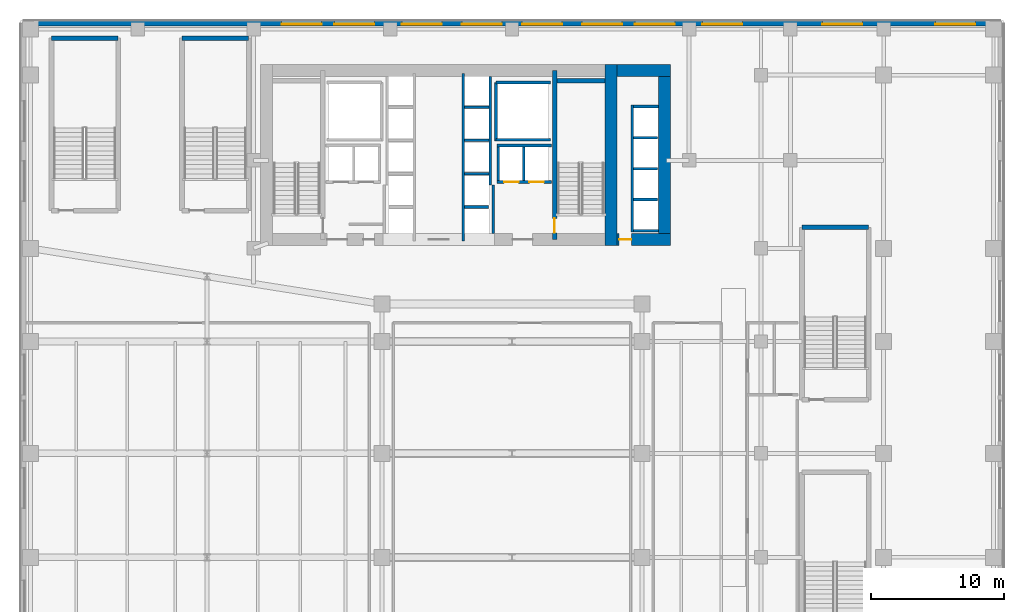
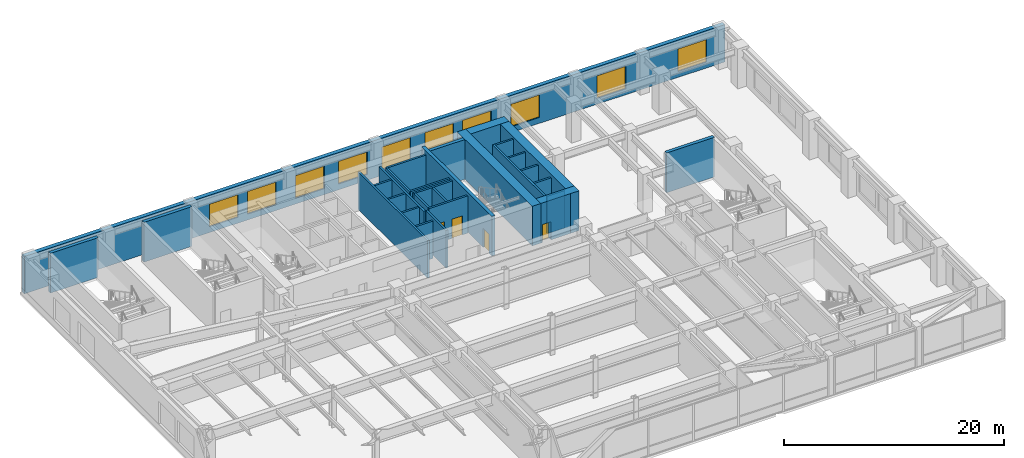
# One storey, part 20 of 27: 30 walls, 10 windows, 4 doors, 14 openings.
"""IFC4 building model written with IfcOpenShell, lengths in metres."""

from ifc_helpers import new_model, si_unit, direction, frame, frame_2d, origin, place, context, subcontext, project, spatial, rectangle, extrude, source, transform, mapped, material, layer, layer_set, type_object, type_shapes, element, fill, save


model = new_model("IFC4")

# Units and contexts
model_context = context("Model", 3, precision=1e-05, world=origin(), true_north=direction((0.0, 1.0)))
body_context = subcontext(model_context, "Body", "Model", "MODEL_VIEW")
ifc_project = project(units=[si_unit("LENGTHUNIT", "METRE"), si_unit("AREAUNIT", "SQUARE_METRE"), si_unit("VOLUMEUNIT", "CUBIC_METRE"), si_unit("PLANEANGLEUNIT", "RADIAN"), si_unit("MASSUNIT", "GRAM", prefix="KILO")], contexts=[model_context])

# Site, building, storey
site_placement = place(None, origin())
site = spatial("IfcSite", under=ifc_project, at=site_placement, CompositionType="ELEMENT")
building_placement = place(site_placement, origin())
building = spatial("IfcBuilding", under=site, at=building_placement, Name="Tolvann Quenvar Hotel", CompositionType="ELEMENT")
storey_placement = place(building_placement, frame((0.0, 0.0, 22.39990234375)))
storey = spatial("IfcBuildingStorey", under=building, at=storey_placement, Name="L04", CompositionType="ELEMENT", Elevation=22.39990234375)

# Wall
ifc_material_1 = material(Name="Concrete S80 (80 MPa)", Category="concrete")
ifc_layer_1 = layer(ifc_material_1, 0.89990234375)
ifc_layer_set_1 = layer_set([ifc_layer_1], Name="Concrete S80 (80 MPa)")
wall_type_1 = type_object("IfcWallType", Name="WALL_CORE_900", PredefinedType="SHEAR", material=ifc_layer_set_1)
wall_1_placement = place(storey_placement, frame((35.949951171875, 31.60009765625, 0.0), z_axis=(0.0, 0.0, 1.0), x_axis=(0.0, 1.0, 0.0)))
element("IfcWall", 1, at=wall_1_placement, inside=storey, type_object=wall_type_1, Name="Rear Core E Shear Wall (L04)", PredefinedType="SHEAR", context=body_context, shape_type="SweptSolid", body=[
    extrude(rectangle(XDim=13.599853515625, YDim=0.89990234375, at=frame_2d((6.7998046875, 0.0))), origin(), (0.0, 0.0, 1.0), 4.400146484375),
])

# Wall, opening, door
wall_2_placement = place(storey_placement, frame((36.39990234375, 32.050048828125, 0.0), z_axis=(0.0, 0.0, 1.0), x_axis=(1.0, 0.0, 0.0)))
wall_2 = element("IfcWall", 2, at=wall_2_placement, inside=storey, type_object=wall_type_1, Name="Core East Annex Shear Wall ANN-S (L04)", PredefinedType="SHEAR", context=body_context, shape_type="SweptSolid", body=[
    extrude(rectangle(XDim=4.0, YDim=0.89990234375, at=frame_2d((2.0, 0.0))), origin(), (0.0, 0.0, 1.0), 4.400146484375),
])
opening_1_placement = place(wall_2_placement, frame((1.06982421875, 0.0, 0.0), z_axis=(0.0, 0.0, 1.0), x_axis=(-1.0, 0.0, 0.0)))
opening_1 = element("IfcOpeningElement", 3, at=opening_1_placement, cuts=wall_2, Name="Opening WD-01", PredefinedType="OPENING", context=body_context, shape_type="SweptSolid", body=[
    extrude(rectangle(XDim=0.919921875, YDim=2.010009765625, at=frame_2d((0.4599609375, 1.0048828125))), frame((0.0, 0.4599609375, 0.0), z_axis=(0.0, -1.0, 0.0), x_axis=(1.0, 0.0, 0.0)), (0.0, 0.0, 1.0), 0.919921875),
])
ifc_material_2 = material(Name="Solid-core American oak acoustic fire door leaf in steel frame", Category="steel")
door_type_1 = type_object("IfcDoorType", Name="DOOR_WC_920", OperationType="NOTDEFINED", PredefinedType="DOOR", material=ifc_material_2)
shared_shape_1 = source(origin(), body_context, "Body", "SweptSolid", [
    extrude(rectangle(XDim=0.919921875, YDim=2.010009765625, at=frame_2d((0.4599609375, 1.0048828125))), frame((0.0, 0.02490234375, 0.0), z_axis=(0.0, -1.0, 0.0), x_axis=(1.0, 0.0, 0.0)), (0.0, 0.0, 1.0), 0.050048828125),
])
type_shapes(door_type_1, [shared_shape_1])
door_1_placement = place(opening_1_placement, origin())
door_1 = element("IfcDoor", 4, at=door_1_placement, inside=storey, type_object=door_type_1, Name="Low-Rise Lift Lobby Fire Door (L04)", OperationType="SINGLE_SWING_RIGHT", OverallHeight=2.010009765625, OverallWidth=0.919921875, PredefinedType="DOOR", context=body_context, shape_type="MappedRepresentation", body=[
    mapped(shared_shape_1, transform((0.0, 0.0, 0.0), x_axis=(1.0, 0.0, 0.0), y_axis=(0.0, 1.0, 0.0), z_axis=(0.0, 0.0, 1.0), scale=1.0)),
])
fill(opening_1, door_1)

# Walls
wall_3_placement = place(storey_placement, frame((36.39990234375, 44.75, 0.0), z_axis=(0.0, 0.0, 1.0), x_axis=(1.0, 0.0, 0.0)))
element("IfcWall", 5, at=wall_3_placement, inside=storey, type_object=wall_type_1, Name="Core East Annex Shear Wall ANN-N (L04)", PredefinedType="SHEAR", context=body_context, shape_type="SweptSolid", body=[
    extrude(rectangle(XDim=4.0, YDim=0.89990234375, at=frame_2d((2.0, 0.0))), origin(), (0.0, 0.0, 1.0), 4.400146484375),
])
wall_4_placement = place(storey_placement, frame((39.949951171875, 31.60009765625, 0.0), z_axis=(0.0, 0.0, 1.0), x_axis=(0.0, 1.0, 0.0)))
element("IfcWall", 6, at=wall_4_placement, inside=storey, type_object=wall_type_1, Name="Core East Annex Shear Wall ANN-E (L04)", PredefinedType="SHEAR", context=body_context, shape_type="SweptSolid", body=[
    extrude(rectangle(XDim=13.599853515625, YDim=0.89990234375, at=frame_2d((6.7998046875, 0.0))), origin(), (0.0, 0.0, 1.0), 4.400146484375),
])

# Wall, opening, door
ifc_material_3 = material(Name="Concrete S65 (65 MPa)", Category="concrete")
ifc_layer_2 = layer(ifc_material_3, 0.35009765625)
ifc_layer_set_2 = layer_set([ifc_layer_2], Name="Concrete S65 (65 MPa)")
wall_type_2 = type_object("IfcWallType", Name="WALL_CORE_INT_350", PredefinedType="SHEAR", material=ifc_layer_set_2)
wall_5_placement = place(storey_placement, frame((31.699951171875, 32.050048828125, 0.0), z_axis=(0.0, 0.0, 1.0), x_axis=(0.0, 1.0, 0.0)))
wall_5 = element("IfcWall", 7, at=wall_5_placement, inside=storey, type_object=wall_type_2, Name="Core Internal Web Shear Wall WEB-E (L04)", PredefinedType="SHEAR", context=body_context, shape_type="SweptSolid", body=[
    extrude(rectangle(XDim=12.699951171875, YDim=0.35009765625, at=frame_2d((6.35009765625, 0.0))), origin(), (0.0, 0.0, 1.0), 4.400146484375),
])
opening_2_placement = place(wall_5_placement, frame((1.60009765625, 0.0, 0.0), z_axis=(0.0, 0.0, 1.0), x_axis=(-1.0, 0.0, 0.0)))
opening_2 = element("IfcOpeningElement", 8, at=opening_2_placement, cuts=wall_5, Name="Opening FD-120", PredefinedType="OPENING", context=body_context, shape_type="SweptSolid", body=[
    extrude(rectangle(XDim=1.10009765625, YDim=2.1201171875, at=frame_2d((0.550048828125, 1.06005859375))), frame((0.0, 0.18505859375, 0.0), z_axis=(0.0, -1.0, 0.0), x_axis=(1.0, 0.0, 0.0)), (0.0, 0.0, 1.0), 0.3701171875),
])
ifc_material_4 = material(Name="Pressed galvanised steel fire-rated door set", Category="steel")
door_type_2 = type_object("IfcDoorType", Name="DOOR_FIRE_STAIR_1100", OperationType="NOTDEFINED", PredefinedType="DOOR", material=ifc_material_4)
shared_shape_2 = source(origin(), body_context, "Body", "SweptSolid", [
    extrude(rectangle(XDim=1.10009765625, YDim=2.1201171875, at=frame_2d((0.550048828125, 1.06005859375))), frame((0.0, 0.02490234375, 0.0), z_axis=(0.0, -1.0, 0.0), x_axis=(1.0, 0.0, 0.0)), (0.0, 0.0, 1.0), 0.050048828125),
])
type_shapes(door_type_2, [shared_shape_2])
door_2_placement = place(opening_2_placement, origin())
door_2 = element("IfcDoor", 9, at=door_2_placement, inside=storey, type_object=door_type_2, Name="Exit Stair ST-C2 Fire Door (L04)", OperationType="SINGLE_SWING_LEFT", OverallHeight=2.1201171875, OverallWidth=1.10009765625, PredefinedType="DOOR", context=body_context, shape_type="MappedRepresentation", body=[
    mapped(shared_shape_2, transform((0.0, 0.0, 0.0), x_axis=(1.0, 0.0, 0.0), y_axis=(0.0, 1.0, 0.0), z_axis=(0.0, 0.0, 1.0), scale=1.0)),
])
fill(opening_2, door_2)

# Walls
wall_6_placement = place(storey_placement, frame((31.8798828125, 43.97509765625, 0.0), z_axis=(0.0, 0.0, 1.0), x_axis=(1.0, 0.0, 0.0)))
element("IfcWall", 10, at=wall_6_placement, inside=storey, type_object=wall_type_2, Name="Core Stair North Closing Shear Wall STC2-N (L04)", PredefinedType="SHEAR", context=body_context, shape_type="SweptSolid", body=[
    extrude(rectangle(XDim=3.60009765625, YDim=0.35009765625, at=frame_2d((1.800048828125, 0.0))), origin(), (0.0, 0.0, 1.0), 4.400146484375),
])
for number, where, z_axis, x_axis, name in (
    (11, (-1.074951171875, 47.175048828125, 0.0), (0.0, 0.0, 1.0), (-1.0, 0.0, 0.0), "Stairwell ST-P1 Structural Shaft Wall N (L04)"),
    (12, (8.72509765625, 47.175048828125, 0.0), (0.0, 0.0, 1.0), (-1.0, 0.0, 0.0), "Stairwell ST-P2 Structural Shaft Wall N (L04)"),
    (13, (55.27490234375, 32.97509765625, 0.0), (0.0, 0.0, 1.0), (-1.0, 0.0, 0.0), "Stairwell ST-P4 Structural Shaft Wall N (L04)"),
):
    element("IfcWall", number, at=place(storey_placement, frame(where, z_axis=z_axis, x_axis=x_axis)), inside=storey, type_object=wall_type_2, Name=name, PredefinedType="SHEAR", context=body_context, shape_type="SweptSolid", body=[
        extrude(rectangle(XDim=5.0, YDim=0.35009765625, at=frame_2d((2.5, 0.0))), origin(), (0.0, 0.0, 1.0), 4.400146484375),
    ])

# Wall, openings, windows
ifc_material_5 = material(Name="Kiln-fired red and buff architectural clay brickwork and terracotta masonry", Category="masonry")
ifc_layer_3 = layer(ifc_material_5, 0.419921875)
ifc_layer_set_3 = layer_set([ifc_layer_3], Name="Kiln-fired red and buff architectural clay brickwork and terracotta masonry")
wall_type_3 = type_object("IfcWallType", Name="WALL_EXT_POD_420", PredefinedType="SOLIDWALL", material=ifc_layer_set_3)
wall_7_placement = place(storey_placement, frame((65.18994140625, 48.2900390625, 0.0), z_axis=(0.0, 0.0, 1.0), x_axis=(-1.0, 0.0, 0.0)))
wall_7 = element("IfcWall", 14, at=wall_7_placement, inside=storey, type_object=wall_type_3, Name="Exterior Chicago Brick Wall L04-E02", PredefinedType="SOLIDWALL", context=body_context, shape_type="SweptSolid", body=[
    extrude(rectangle(XDim=73.3798828125, YDim=0.419921875, at=frame_2d((36.68994140625, 0.0))), origin(), (0.0, 0.0, 1.0), 4.14013671875),
])
opening_3_placement = place(wall_7_placement, frame((1.906005859375, 0.0, 0.64990234375)))
opening_3 = element("IfcOpeningElement", 15, at=opening_3_placement, cuts=wall_7, Name="Opening W-05", PredefinedType="OPENING", context=body_context, shape_type="SweptSolid", body=[
    extrude(rectangle(XDim=3.0, YDim=2.5, at=frame_2d((1.5, 1.25))), frame((0.0, 0.219970703125, 0.0), z_axis=(0.0, -1.0, 0.0), x_axis=(1.0, 0.0, 0.0)), (0.0, 0.0, 1.0), 0.43994140625),
])
opening_4_placement = place(wall_7_placement, frame((10.3779296875, 0.0, 0.64990234375)))
opening_4 = element("IfcOpeningElement", 16, at=opening_4_placement, cuts=wall_7, Name="Opening W-05", PredefinedType="OPENING", context=body_context, shape_type="SweptSolid", body=[
    extrude(rectangle(XDim=3.0, YDim=2.5, at=frame_2d((1.5, 1.25))), frame((0.0, 0.219970703125, 0.0), z_axis=(0.0, -1.0, 0.0), x_axis=(1.0, 0.0, 0.0)), (0.0, 0.0, 1.0), 0.43994140625),
])
opening_5_placement = place(wall_7_placement, frame((19.40087890625, 0.0, 0.64990234375)))
opening_5 = element("IfcOpeningElement", 17, at=opening_5_placement, cuts=wall_7, Name="Opening W-05", PredefinedType="OPENING", context=body_context, shape_type="SweptSolid", body=[
    extrude(rectangle(XDim=3.0, YDim=2.5, at=frame_2d((1.5, 1.25))), frame((0.0, 0.219970703125, 0.0), z_axis=(0.0, -1.0, 0.0), x_axis=(1.0, 0.0, 0.0)), (0.0, 0.0, 1.0), 0.43994140625),
])
opening_6_placement = place(wall_7_placement, frame((24.4619140625, 0.0, 0.64990234375)))
opening_6 = element("IfcOpeningElement", 18, at=opening_6_placement, cuts=wall_7, Name="Opening W-05", PredefinedType="OPENING", context=body_context, shape_type="SweptSolid", body=[
    extrude(rectangle(XDim=3.0, YDim=2.5, at=frame_2d((1.5, 1.25))), frame((0.0, 0.219970703125, 0.0), z_axis=(0.0, -1.0, 0.0), x_axis=(1.0, 0.0, 0.0)), (0.0, 0.0, 1.0), 0.43994140625),
])
opening_7_placement = place(wall_7_placement, frame((28.423095703125, 0.0, 0.64990234375)))
opening_7 = element("IfcOpeningElement", 19, at=opening_7_placement, cuts=wall_7, Name="Opening W-05", PredefinedType="OPENING", context=body_context, shape_type="SweptSolid", body=[
    extrude(rectangle(XDim=3.0, YDim=2.5, at=frame_2d((1.5, 1.25))), frame((0.0, 0.219970703125, 0.0), z_axis=(0.0, -1.0, 0.0), x_axis=(1.0, 0.0, 0.0)), (0.0, 0.0, 1.0), 0.43994140625),
])
opening_8_placement = place(wall_7_placement, frame((32.93408203125, 0.0, 0.64990234375)))
opening_8 = element("IfcOpeningElement", 20, at=opening_8_placement, cuts=wall_7, Name="Opening W-05", PredefinedType="OPENING", context=body_context, shape_type="SweptSolid", body=[
    extrude(rectangle(XDim=3.0, YDim=2.5, at=frame_2d((1.5, 1.25))), frame((0.0, 0.219970703125, 0.0), z_axis=(0.0, -1.0, 0.0), x_axis=(1.0, 0.0, 0.0)), (0.0, 0.0, 1.0), 0.43994140625),
])
opening_9_placement = place(wall_7_placement, frame((37.446044921875, 0.0, 0.64990234375)))
opening_9 = element("IfcOpeningElement", 21, at=opening_9_placement, cuts=wall_7, Name="Opening W-05", PredefinedType="OPENING", context=body_context, shape_type="SweptSolid", body=[
    extrude(rectangle(XDim=3.0, YDim=2.5, at=frame_2d((1.5, 1.25))), frame((0.0, 0.219970703125, 0.0), z_axis=(0.0, -1.0, 0.0), x_axis=(1.0, 0.0, 0.0)), (0.0, 0.0, 1.0), 0.43994140625),
])
opening_10_placement = place(wall_7_placement, frame((41.95703125, 0.0, 0.64990234375)))
opening_10 = element("IfcOpeningElement", 22, at=opening_10_placement, cuts=wall_7, Name="Opening W-05", PredefinedType="OPENING", context=body_context, shape_type="SweptSolid", body=[
    extrude(rectangle(XDim=3.0, YDim=2.5, at=frame_2d((1.5, 1.25))), frame((0.0, 0.219970703125, 0.0), z_axis=(0.0, -1.0, 0.0), x_axis=(1.0, 0.0, 0.0)), (0.0, 0.0, 1.0), 0.43994140625),
])
opening_11_placement = place(wall_7_placement, frame((47.01806640625, 0.0, 0.64990234375)))
opening_11 = element("IfcOpeningElement", 23, at=opening_11_placement, cuts=wall_7, Name="Opening W-05", PredefinedType="OPENING", context=body_context, shape_type="SweptSolid", body=[
    extrude(rectangle(XDim=3.0, YDim=2.5, at=frame_2d((1.5, 1.25))), frame((0.0, 0.219970703125, 0.0), z_axis=(0.0, -1.0, 0.0), x_axis=(1.0, 0.0, 0.0)), (0.0, 0.0, 1.0), 0.43994140625),
])
opening_12_placement = place(wall_7_placement, frame((50.97900390625, 0.0, 0.64990234375)))
opening_12 = element("IfcOpeningElement", 24, at=opening_12_placement, cuts=wall_7, Name="Opening W-05", PredefinedType="OPENING", context=body_context, shape_type="SweptSolid", body=[
    extrude(rectangle(XDim=3.0, YDim=2.5, at=frame_2d((1.5, 1.25))), frame((0.0, 0.219970703125, 0.0), z_axis=(0.0, -1.0, 0.0), x_axis=(1.0, 0.0, 0.0)), (0.0, 0.0, 1.0), 0.43994140625),
])
ifc_material_6 = material(Name="Thermally broken bronze-anodised aluminium frame with double low-E glazing", Category="aluminium")
window_type = type_object("IfcWindowType", Name="WIN_POD_3000x2600", PartitioningType="TRIPLE_PANEL_HORIZONTAL", PredefinedType="WINDOW", material=ifc_material_6)
shared_shape_3 = source(origin(), body_context, "Body", "SweptSolid", [
    extrude(rectangle(XDim=3.0, YDim=2.5, at=frame_2d((1.5, 1.25))), frame((0.0, 0.090087890625, 0.0), z_axis=(0.0, -1.0, 0.0), x_axis=(1.0, 0.0, 0.0)), (0.0, 0.0, 1.0), 0.06005859375),
])
type_shapes(window_type, [shared_shape_3])
window_1_placement = place(opening_3_placement, origin())
window_1 = element("IfcWindow", 25, at=window_1_placement, inside=storey, type_object=window_type, Name="Chicago Window W-05 (EW-L04-E02-W01)", OverallHeight=2.5, OverallWidth=3.0, PartitioningType="TRIPLE_PANEL_HORIZONTAL", PredefinedType="WINDOW", context=body_context, shape_type="MappedRepresentation", body=[
    mapped(shared_shape_3, transform((0.0, 0.0, 0.0), x_axis=(1.0, 0.0, 0.0), y_axis=(0.0, 1.0, 0.0), z_axis=(0.0, 0.0, 1.0), scale=1.0)),
])
fill(opening_3, window_1)
window_2_placement = place(opening_4_placement, origin())
window_2 = element("IfcWindow", 26, at=window_2_placement, inside=storey, type_object=window_type, Name="Chicago Window W-05 (EW-L04-E02-W02)", OverallHeight=2.5, OverallWidth=3.0, PartitioningType="TRIPLE_PANEL_HORIZONTAL", PredefinedType="WINDOW", context=body_context, shape_type="MappedRepresentation", body=[
    mapped(shared_shape_3, transform((0.0, 0.0, 0.0), x_axis=(1.0, 0.0, 0.0), y_axis=(0.0, 1.0, 0.0), z_axis=(0.0, 0.0, 1.0), scale=1.0)),
])
fill(opening_4, window_2)
window_3_placement = place(opening_5_placement, origin())
window_3 = element("IfcWindow", 27, at=window_3_placement, inside=storey, type_object=window_type, Name="Chicago Window W-05 (EW-L04-E02-W03)", OverallHeight=2.5, OverallWidth=3.0, PartitioningType="TRIPLE_PANEL_HORIZONTAL", PredefinedType="WINDOW", context=body_context, shape_type="MappedRepresentation", body=[
    mapped(shared_shape_3, transform((0.0, 0.0, 0.0), x_axis=(1.0, 0.0, 0.0), y_axis=(0.0, 1.0, 0.0), z_axis=(0.0, 0.0, 1.0), scale=1.0)),
])
fill(opening_5, window_3)
window_4_placement = place(opening_6_placement, origin())
window_4 = element("IfcWindow", 28, at=window_4_placement, inside=storey, type_object=window_type, Name="Chicago Window W-05 (EW-L04-E02-W04)", OverallHeight=2.5, OverallWidth=3.0, PartitioningType="TRIPLE_PANEL_HORIZONTAL", PredefinedType="WINDOW", context=body_context, shape_type="MappedRepresentation", body=[
    mapped(shared_shape_3, transform((0.0, 0.0, 0.0), x_axis=(1.0, 0.0, 0.0), y_axis=(0.0, 1.0, 0.0), z_axis=(0.0, 0.0, 1.0), scale=1.0)),
])
fill(opening_6, window_4)
window_5_placement = place(opening_7_placement, origin())
window_5 = element("IfcWindow", 29, at=window_5_placement, inside=storey, type_object=window_type, Name="Chicago Window W-05 (EW-L04-E02-W05)", OverallHeight=2.5, OverallWidth=3.0, PartitioningType="TRIPLE_PANEL_HORIZONTAL", PredefinedType="WINDOW", context=body_context, shape_type="MappedRepresentation", body=[
    mapped(shared_shape_3, transform((0.0, 0.0, 0.0), x_axis=(1.0, 0.0, 0.0), y_axis=(0.0, 1.0, 0.0), z_axis=(0.0, 0.0, 1.0), scale=1.0)),
])
fill(opening_7, window_5)
window_6_placement = place(opening_8_placement, origin())
window_6 = element("IfcWindow", 30, at=window_6_placement, inside=storey, type_object=window_type, Name="Chicago Window W-05 (EW-L04-E02-W06)", OverallHeight=2.5, OverallWidth=3.0, PartitioningType="TRIPLE_PANEL_HORIZONTAL", PredefinedType="WINDOW", context=body_context, shape_type="MappedRepresentation", body=[
    mapped(shared_shape_3, transform((0.0, 0.0, 0.0), x_axis=(1.0, 0.0, 0.0), y_axis=(0.0, 1.0, 0.0), z_axis=(0.0, 0.0, 1.0), scale=1.0)),
])
fill(opening_8, window_6)
window_7_placement = place(opening_9_placement, origin())
window_7 = element("IfcWindow", 31, at=window_7_placement, inside=storey, type_object=window_type, Name="Chicago Window W-05 (EW-L04-E02-W07)", OverallHeight=2.5, OverallWidth=3.0, PartitioningType="TRIPLE_PANEL_HORIZONTAL", PredefinedType="WINDOW", context=body_context, shape_type="MappedRepresentation", body=[
    mapped(shared_shape_3, transform((0.0, 0.0, 0.0), x_axis=(1.0, 0.0, 0.0), y_axis=(0.0, 1.0, 0.0), z_axis=(0.0, 0.0, 1.0), scale=1.0)),
])
fill(opening_9, window_7)
window_8_placement = place(opening_10_placement, origin())
window_8 = element("IfcWindow", 32, at=window_8_placement, inside=storey, type_object=window_type, Name="Chicago Window W-05 (EW-L04-E02-W08)", OverallHeight=2.5, OverallWidth=3.0, PartitioningType="TRIPLE_PANEL_HORIZONTAL", PredefinedType="WINDOW", context=body_context, shape_type="MappedRepresentation", body=[
    mapped(shared_shape_3, transform((0.0, 0.0, 0.0), x_axis=(1.0, 0.0, 0.0), y_axis=(0.0, 1.0, 0.0), z_axis=(0.0, 0.0, 1.0), scale=1.0)),
])
fill(opening_10, window_8)
window_9_placement = place(opening_11_placement, origin())
window_9 = element("IfcWindow", 33, at=window_9_placement, inside=storey, type_object=window_type, Name="Chicago Window W-05 (EW-L04-E02-W09)", OverallHeight=2.5, OverallWidth=3.0, PartitioningType="TRIPLE_PANEL_HORIZONTAL", PredefinedType="WINDOW", context=body_context, shape_type="MappedRepresentation", body=[
    mapped(shared_shape_3, transform((0.0, 0.0, 0.0), x_axis=(1.0, 0.0, 0.0), y_axis=(0.0, 1.0, 0.0), z_axis=(0.0, 0.0, 1.0), scale=1.0)),
])
fill(opening_11, window_9)
window_10_placement = place(opening_12_placement, origin())
window_10 = element("IfcWindow", 34, at=window_10_placement, inside=storey, type_object=window_type, Name="Chicago Window W-05 (EW-L04-E02-W10)", OverallHeight=2.5, OverallWidth=3.0, PartitioningType="TRIPLE_PANEL_HORIZONTAL", PredefinedType="WINDOW", context=body_context, shape_type="MappedRepresentation", body=[
    mapped(shared_shape_3, transform((0.0, 0.0, 0.0), x_axis=(1.0, 0.0, 0.0), y_axis=(0.0, 1.0, 0.0), z_axis=(0.0, 0.0, 1.0), scale=1.0)),
])
fill(opening_12, window_10)

# Walls
ifc_material_7 = material(Name="Concrete N40 (40 MPa)", Category="concrete")
ifc_layer_4 = layer(ifc_material_7, 0.199951171875)
ifc_layer_set_4 = layer_set([ifc_layer_4], Name="Concrete N40 (40 MPa)")
wall_type_4 = type_object("IfcWallType", Name="WALL_SHAFT_200", PredefinedType="SOLIDWALL", material=ifc_layer_set_4)
wall_8_placement = place(storey_placement, frame((27.300048828125, 39.449951171875, 0.0), z_axis=(0.0, 0.0, 1.0), x_axis=(0.0, 1.0, 0.0)))
element("IfcWall", 35, at=wall_8_placement, inside=storey, type_object=wall_type_4, Name="Service Riser E Shaft Wall IN (L04)", PredefinedType="SOLIDWALL", context=body_context, shape_type="SweptSolid", body=[
    extrude(rectangle(XDim=4.400146484375, YDim=0.199951171875, at=frame_2d((2.2001953125, 0.0))), origin(), (0.0, 0.0, 1.0), 4.14013671875),
])
for number, where, z_axis, x_axis, name in (
    (36, (27.300048828125, 39.550048828125, 0.0), (0.0, 0.0, 1.0), (1.0, 0.0, 0.0), "Service Riser E Shaft Wall S (L04)"),
    (37, (27.300048828125, 43.85009765625, 0.0), (0.0, 0.0, 1.0), (1.0, 0.0, 0.0), "Service Riser E Shaft Wall N (L04)"),
):
    element("IfcWall", number, at=place(storey_placement, frame(where, z_axis=z_axis, x_axis=x_axis)), inside=storey, type_object=wall_type_4, Name=name, PredefinedType="SOLIDWALL", context=body_context, shape_type="SweptSolid", body=[
        extrude(rectangle(XDim=4.099853515625, YDim=0.199951171875, at=frame_2d((2.0498046875, 0.0))), origin(), (0.0, 0.0, 1.0), 4.14013671875),
    ])
wall_9_placement = place(storey_placement, frame((27.080078125, 32.50390625, 0.0), z_axis=(0.0, 0.0, 1.0), x_axis=(0.0, 1.0, 0.0)))
element("IfcWall", 38, at=wall_9_placement, inside=storey, type_object=wall_type_4, Name="Firefighting Lobby E Inner Fire Wall (L04)", PredefinedType="SOLIDWALL", context=body_context, shape_type="SweptSolid", body=[
    extrude(rectangle(XDim=3.64599609375, YDim=0.199951171875, at=frame_2d((1.822998046875, 0.0))), origin(), (0.0, 0.0, 1.0), 4.14013671875),
])

# Wall, openings, doors
wall_10_placement = place(storey_placement, frame((27.375, 36.3798828125, 0.0), z_axis=(0.0, 0.0, 1.0), x_axis=(1.0, 0.0, 0.0)))
wall_10 = element("IfcWall", 39, at=wall_10_placement, inside=storey, type_object=wall_type_4, Name="Lift Bank SEC1 Hoistway Front Wall (L04)", PredefinedType="SOLIDWALL", context=body_context, shape_type="SweptSolid", body=[
    extrude(rectangle(XDim=4.074951171875, YDim=0.199951171875, at=frame_2d((2.03759765625, 0.0))), origin(), (0.0, 0.0, 1.0), 4.14013671875),
])
opening_13_placement = place(wall_10_placement, frame((0.52490234375, 0.0, 0.0)))
opening_13 = element("IfcOpeningElement", 40, at=opening_13_placement, cuts=wall_10, Name="Opening LD-01", PredefinedType="OPENING", context=body_context, shape_type="SweptSolid", body=[
    extrude(rectangle(XDim=1.10009765625, YDim=2.1201171875, at=frame_2d((0.550048828125, 1.06005859375))), frame((0.0, 0.10986328125, 0.0), z_axis=(0.0, -1.0, 0.0), x_axis=(1.0, 0.0, 0.0)), (0.0, 0.0, 1.0), 0.219970703125),
])
opening_14_placement = place(wall_10_placement, frame((2.425048828125, 0.0, 0.0)))
opening_14 = element("IfcOpeningElement", 41, at=opening_14_placement, cuts=wall_10, Name="Opening LD-01", PredefinedType="OPENING", context=body_context, shape_type="SweptSolid", body=[
    extrude(rectangle(XDim=1.10009765625, YDim=2.1201171875, at=frame_2d((0.550048828125, 1.06005859375))), frame((0.0, 0.10986328125, 0.0), z_axis=(0.0, -1.0, 0.0), x_axis=(1.0, 0.0, 0.0)), (0.0, 0.0, 1.0), 0.219970703125),
])
ifc_material_8 = material(Name="Brushed 316 stainless steel automatic sliding lift landing door", Category="steel")
door_type_3 = type_object("IfcDoorType", Name="DOOR_LIFT_SLIDE_1100", OperationType="NOTDEFINED", PredefinedType="DOOR", material=ifc_material_8)
shared_shape_4 = source(origin(), body_context, "Body", "SweptSolid", [
    extrude(rectangle(XDim=1.10009765625, YDim=2.1201171875, at=frame_2d((0.550048828125, 1.06005859375))), frame((0.0, 0.02490234375, 0.0), z_axis=(0.0, -1.0, 0.0), x_axis=(1.0, 0.0, 0.0)), (0.0, 0.0, 1.0), 0.050048828125),
])
type_shapes(door_type_3, [shared_shape_4])
door_3_placement = place(opening_13_placement, origin())
door_3 = element("IfcDoor", 42, at=door_3_placement, inside=storey, type_object=door_type_3, Name="Lift SV-2 Sliding Landing Door (L04)", OperationType="SLIDING_TO_LEFT", OverallHeight=2.1201171875, OverallWidth=1.10009765625, PredefinedType="DOOR", context=body_context, shape_type="MappedRepresentation", body=[
    mapped(shared_shape_4, transform((0.0, 0.0, 0.0), x_axis=(1.0, 0.0, 0.0), y_axis=(0.0, 1.0, 0.0), z_axis=(0.0, 0.0, 1.0), scale=1.0)),
])
fill(opening_13, door_3)
door_4_placement = place(opening_14_placement, origin())
door_4 = element("IfcDoor", 43, at=door_4_placement, inside=storey, type_object=door_type_3, Name="Lift FF-2 Sliding Landing Door (L04)", OperationType="SLIDING_TO_RIGHT", OverallHeight=2.1201171875, OverallWidth=1.10009765625, PredefinedType="DOOR", context=body_context, shape_type="MappedRepresentation", body=[
    mapped(shared_shape_4, transform((0.0, 0.0, 0.0), x_axis=(1.0, 0.0, 0.0), y_axis=(0.0, 1.0, 0.0), z_axis=(0.0, 0.0, 1.0), scale=1.0)),
])
fill(opening_14, door_4)

# Walls
wall_11_placement = place(storey_placement, frame((27.375, 39.1201171875, 0.0), z_axis=(0.0, 0.0, 1.0), x_axis=(1.0, 0.0, 0.0)))
element("IfcWall", 44, at=wall_11_placement, inside=storey, type_object=wall_type_4, Name="Lift Bank SEC1 Hoistway Rear Wall (L04)", PredefinedType="SOLIDWALL", context=body_context, shape_type="SweptSolid", body=[
    extrude(rectangle(XDim=4.074951171875, YDim=0.199951171875, at=frame_2d((2.03759765625, 0.0))), origin(), (0.0, 0.0, 1.0), 4.14013671875),
])
for number, where, z_axis, x_axis, name in (
    (45, (27.47509765625, 36.47998046875, 0.0), (0.0, 0.0, 1.0), (0.0, 1.0, 0.0), "Lift Bank SEC1 Hoistway Cheek Wall 1 (L04)"),
    (46, (29.387451171875, 36.47998046875, 0.0), (0.0, 0.0, 1.0), (0.0, 1.0, 0.0), "Lift Bank SEC1 Divider Wall 1 (L04)"),
):
    element("IfcWall", number, at=place(storey_placement, frame(where, z_axis=z_axis, x_axis=x_axis)), inside=storey, type_object=wall_type_4, Name=name, PredefinedType="SOLIDWALL", context=body_context, shape_type="SweptSolid", body=[
        extrude(rectangle(XDim=2.5400390625, YDim=0.199951171875, at=frame_2d((1.27001953125, 0.0))), origin(), (0.0, 0.0, 1.0), 4.14013671875),
    ])
wall_12_placement = place(storey_placement, frame((24.830078125, 31.9599609375, 0.0), z_axis=(0.0, 0.0, 1.0), x_axis=(0.0, 1.0, 0.0)))
element("IfcWall", 47, at=wall_12_placement, inside=storey, type_object=wall_type_4, Name="Lift Bank W24.9C1 Hoistway Front Wall (L04)", PredefinedType="SOLIDWALL", context=body_context, shape_type="SweptSolid", body=[
    extrude(rectangle(XDim=12.580078125, YDim=0.199951171875, at=frame_2d((6.2900390625, 0.0))), origin(), (0.0, 0.0, 1.0), 4.14013671875),
])
wall_13_placement = place(storey_placement, frame((26.8701171875, 36.159912109375, 0.0), z_axis=(0.0, 0.0, 1.0), x_axis=(0.0, 1.0, 0.0)))
element("IfcWall", 48, at=wall_13_placement, inside=storey, type_object=wall_type_4, Name="Lift Bank W24.9C1 Hoistway Rear Wall (L04)", PredefinedType="SOLIDWALL", context=body_context, shape_type="SweptSolid", body=[
    extrude(rectangle(XDim=8.135986328125, YDim=0.199951171875, at=frame_2d((4.06787109375, 0.0))), origin(), (0.0, 0.0, 1.0), 4.14013671875),
])
wall_14_placement = place(storey_placement, frame((24.929931640625, 34.5, 0.0), z_axis=(0.0, 0.0, 1.0), x_axis=(1.0, 0.0, 0.0)))
element("IfcWall", 49, at=wall_14_placement, inside=storey, type_object=wall_type_4, Name="Lift Bank W24.9C1 Divider Wall 1 (L04)", PredefinedType="SOLIDWALL", context=body_context, shape_type="SweptSolid", body=[
    extrude(rectangle(XDim=1.800048828125, YDim=0.199951171875, at=frame_2d((0.89990234375, 0.0))), origin(), (0.0, 0.0, 1.0), 4.14013671875),
])
for number, where, z_axis, x_axis, name in (
    (50, (24.929931640625, 37.0, 0.0), (0.0, 0.0, 1.0), (1.0, 0.0, 0.0), "Lift Bank W24.9C1 Divider Wall 2 (L04)"),
    (51, (24.929931640625, 39.5, 0.0), (0.0, 0.0, 1.0), (1.0, 0.0, 0.0), "Lift Bank W24.9C1 Divider Wall 3 (L04)"),
    (52, (24.929931640625, 42.0, 0.0), (0.0, 0.0, 1.0), (1.0, 0.0, 0.0), "Lift Bank W24.9C1 Divider Wall 4 (L04)"),
):
    element("IfcWall", number, at=place(storey_placement, frame(where, z_axis=z_axis, x_axis=x_axis)), inside=storey, type_object=wall_type_4, Name=name, PredefinedType="SOLIDWALL", context=body_context, shape_type="SweptSolid", body=[
        extrude(rectangle(XDim=1.840087890625, YDim=0.199951171875, at=frame_2d((0.919921875, 0.0))), origin(), (0.0, 0.0, 1.0), 4.14013671875),
    ])
wall_15_placement = place(storey_placement, frame((37.530029296875, 32.610107421875, 0.0), z_axis=(0.0, 0.0, 1.0), x_axis=(0.0, 1.0, 0.0)))
element("IfcWall", 53, at=wall_15_placement, inside=storey, type_object=wall_type_4, Name="Lift Bank W37.6C1 Hoistway Front Wall (L04)", PredefinedType="SOLIDWALL", context=body_context, shape_type="SweptSolid", body=[
    extrude(rectangle(XDim=9.539794921875, YDim=0.199951171875, at=frame_2d((4.77001953125, 0.0))), origin(), (0.0, 0.0, 1.0), 4.14013671875),
])
for number, where, z_axis, x_axis, name in (
    (54, (37.6298828125, 32.7099609375, 0.0), (0.0, 0.0, 1.0), (1.0, 0.0, 0.0), "Lift Bank W37.6C1 Hoistway Cheek Wall 1 (L04)"),
    (55, (37.6298828125, 42.050048828125, 0.0), (0.0, 0.0, 1.0), (1.0, 0.0, 0.0), "Lift Bank W37.6C1 Hoistway Cheek Wall 2 (L04)"),
):
    element("IfcWall", number, at=place(storey_placement, frame(where, z_axis=z_axis, x_axis=x_axis)), inside=storey, type_object=wall_type_4, Name=name, PredefinedType="SOLIDWALL", context=body_context, shape_type="SweptSolid", body=[
        extrude(rectangle(XDim=1.8701171875, YDim=0.199951171875, at=frame_2d((0.93505859375, 0.0))), origin(), (0.0, 0.0, 1.0), 4.14013671875),
    ])
for number, where, z_axis, x_axis, name in (
    (56, (37.6298828125, 35.06005859375, 0.0), (0.0, 0.0, 1.0), (1.0, 0.0, 0.0), "Lift Bank W37.6C1 Divider Wall 1 (L04)"),
    (57, (37.6298828125, 37.3798828125, 0.0), (0.0, 0.0, 1.0), (1.0, 0.0, 0.0), "Lift Bank W37.6C1 Divider Wall 2 (L04)"),
    (58, (37.6298828125, 39.699951171875, 0.0), (0.0, 0.0, 1.0), (1.0, 0.0, 0.0), "Lift Bank W37.6C1 Divider Wall 3 (L04)"),
):
    element("IfcWall", number, at=place(storey_placement, frame(where, z_axis=z_axis, x_axis=x_axis)), inside=storey, type_object=wall_type_4, Name=name, PredefinedType="SOLIDWALL", context=body_context, shape_type="SweptSolid", body=[
        extrude(rectangle(XDim=1.800048828125, YDim=0.199951171875, at=frame_2d((0.89990234375, 0.0))), origin(), (0.0, 0.0, 1.0), 4.14013671875),
    ])

save(model, "model.ifc")
